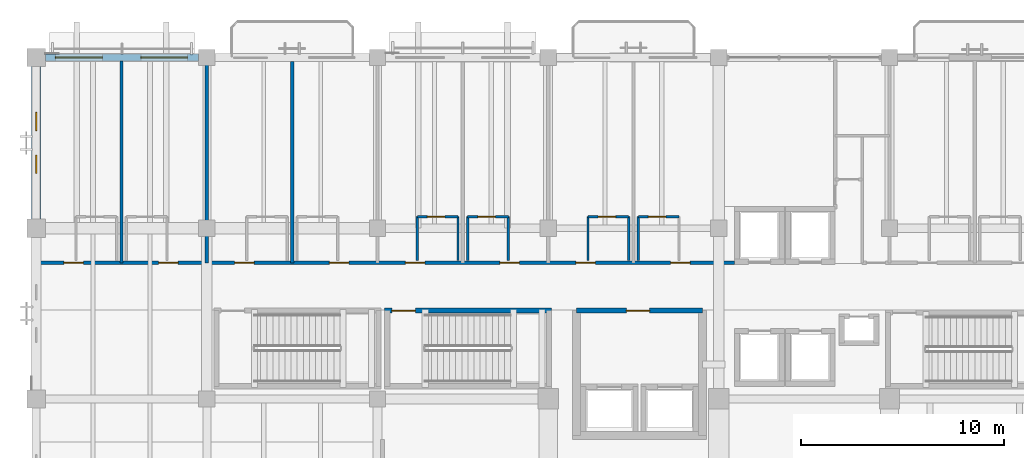
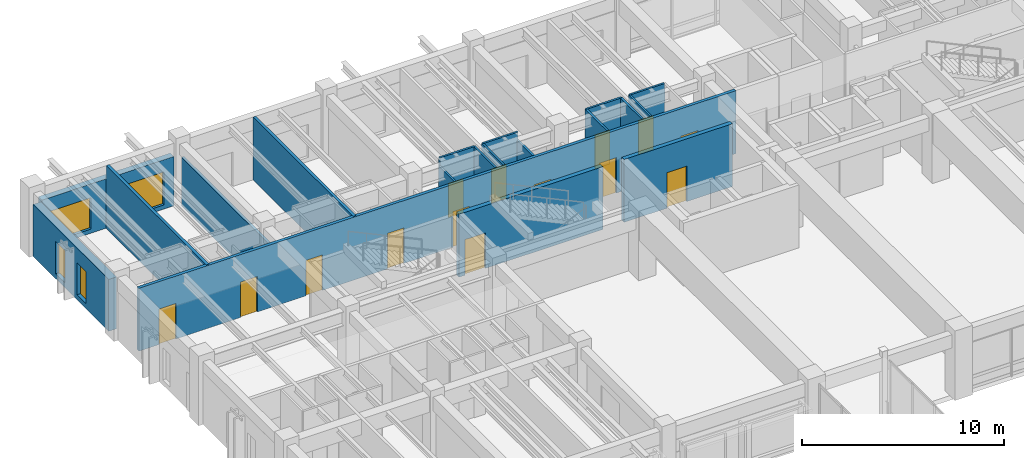
# One storey, part 87 of 132: 19 walls, 14 doors, 4 windows, 18 openings.
"""IFC4 building model written with IfcOpenShell, lengths in metres."""

from ifc_helpers import new_model, si_unit, direction, frame, frame_2d, origin, place, context, subcontext, project, spatial, rectangle, extrude, material, layer, layer_set, type_object, element, fill, save


model = new_model("IFC4")

# Units and contexts
model_context = context("Model", 3, precision=1e-05, world=origin(), true_north=direction((0.0, 1.0)))
body_context = subcontext(model_context, "Body", "Model", "MODEL_VIEW")
ifc_project = project(units=[si_unit("LENGTHUNIT", "METRE"), si_unit("AREAUNIT", "SQUARE_METRE"), si_unit("VOLUMEUNIT", "CUBIC_METRE"), si_unit("PLANEANGLEUNIT", "RADIAN"), si_unit("MASSUNIT", "GRAM", prefix="KILO")], contexts=[model_context])

# Site, building, storey
site_placement = place(None, origin())
site = spatial("IfcSite", under=ifc_project, at=site_placement, CompositionType="ELEMENT")
building_placement = place(site_placement, origin())
building = spatial("IfcBuilding", under=site, at=building_placement, Name="Cumbredor Promenade Congress Hotel", CompositionType="ELEMENT")
storey_placement = place(building_placement, frame((0.0, 0.0, 7.56005859375)))
storey = spatial("IfcBuildingStorey", under=building, at=storey_placement, Name="L02", CompositionType="ELEMENT", Elevation=7.56005859375)

# Wall, opening, door
ifc_material_1 = material(Name="Moisture-resistant gypsum board on steel studs", Category="steel")
ifc_layer_1 = layer(ifc_material_1, 0.114990234375, Name="Moisture-resistant gypsum board on steel studs", Category="steel")
ifc_layer_set_1 = layer_set([ifc_layer_1], Name="Moisture-resistant gypsum board on steel studs")
wall_type_1 = type_object("IfcWallType", Name="WL-BATH-115", PredefinedType="PARTITIONING", material=ifc_layer_set_1)
wall_1_placement = place(storey_placement, frame((18.760009765625, 109.77001953125, 0.0), z_axis=(0.0, 0.0, 1.0), x_axis=(1.0, 0.0, 0.0)))
wall_1 = element("IfcWall", 1, at=wall_1_placement, inside=storey, type_object=wall_type_1, Name="L02 Interior Partition W-L02-BH-0205", PredefinedType="PARTITIONING", context=body_context, shape_type="SweptSolid", body=[
    extrude(rectangle(XDim=2.0, YDim=0.114990234375, at=frame_2d((1.0, 0.0))), origin(), (0.0, 0.0, 1.0), 3.800048828125),
])
opening_1_placement = place(wall_1_placement, frame((0.5, 0.0, 0.0)))
opening_1 = element("IfcOpeningElement", 2, at=opening_1_placement, cuts=wall_1, Name="Opening ID-01", PredefinedType="OPENING", context=body_context, shape_type="SweptSolid", body=[
    extrude(rectangle(XDim=0.860107421875, YDim=2.050048828125, at=frame_2d((0.43017578125, 1.02490234375))), frame((0.0, 0.0673828125, 0.0), z_axis=(0.0, -1.0, 0.0), x_axis=(1.0, 0.0, 0.0)), (0.0, 0.0, 1.0), 0.135009765625),
])
ifc_material_2 = material(Name="Kiln-dried tropical hardwood", Category="wood")
door_type_1 = type_object("IfcDoorType", Name="DR-BATH-860", OperationType="NOTDEFINED", PredefinedType="DOOR", material=ifc_material_2)
door_1_placement = place(opening_1_placement, origin())
door_1 = element("IfcDoor", 3, at=door_1_placement, inside=storey, type_object=door_type_1, Name="L02 Interior Door W-L02-BH-0205-01", OperationType="SINGLE_SWING_RIGHT", OverallHeight=2.050048828125, OverallWidth=0.860107421875, PredefinedType="DOOR", context=body_context, shape_type="SweptSolid", body=[
    extrude(rectangle(XDim=0.860107421875, YDim=2.050048828125, at=frame_2d((0.43017578125, 1.02490234375))), frame((0.0, 0.02490234375, 0.0), z_axis=(0.0, -1.0, 0.0), x_axis=(1.0, 0.0, 0.0)), (0.0, 0.0, 1.0), 0.050048828125),
])
fill(opening_1, door_1)

# Walls
wall_2_placement = place(storey_placement, frame((18.760009765625, 107.6201171875, 0.0), z_axis=(0.0, 0.0, 1.0), x_axis=(0.0, 1.0, 0.0)))
element("IfcWall", 4, at=wall_2_placement, inside=storey, type_object=wall_type_1, Name="L02 Interior Partition W-L02-BV1-0205", PredefinedType="PARTITIONING", context=body_context, shape_type="SweptSolid", body=[
    extrude(rectangle(XDim=2.14990234375, YDim=0.114990234375, at=frame_2d((1.074951171875, 0.0))), origin(), (0.0, 0.0, 1.0), 3.322021484375),
])
wall_3_placement = place(storey_placement, frame((20.760009765625, 107.6201171875, 0.0), z_axis=(0.0, 0.0, 1.0), x_axis=(0.0, 1.0, 0.0)))
element("IfcWall", 5, at=wall_3_placement, inside=storey, type_object=wall_type_1, Name="L02 Interior Partition W-L02-BV2-0205", PredefinedType="PARTITIONING", context=body_context, shape_type="SweptSolid", body=[
    extrude(rectangle(XDim=2.14990234375, YDim=0.114990234375, at=frame_2d((1.074951171875, 0.0))), origin(), (0.0, 0.0, 1.0), 3.800048828125),
])

# Wall, opening, door
wall_4_placement = place(storey_placement, frame((21.239990234375, 109.77001953125, 0.0), z_axis=(0.0, 0.0, 1.0), x_axis=(1.0, 0.0, 0.0)))
wall_4 = element("IfcWall", 6, at=wall_4_placement, inside=storey, type_object=wall_type_1, Name="L02 Interior Partition W-L02-BH-0206", PredefinedType="PARTITIONING", context=body_context, shape_type="SweptSolid", body=[
    extrude(rectangle(XDim=2.0, YDim=0.114990234375, at=frame_2d((1.0, 0.0))), origin(), (0.0, 0.0, 1.0), 3.800048828125),
])
opening_2_placement = place(wall_4_placement, frame((0.5, 0.0, 0.0)))
opening_2 = element("IfcOpeningElement", 7, at=opening_2_placement, cuts=wall_4, Name="Opening ID-01", PredefinedType="OPENING", context=body_context, shape_type="SweptSolid", body=[
    extrude(rectangle(XDim=0.860107421875, YDim=2.050048828125, at=frame_2d((0.43017578125, 1.02490234375))), frame((0.0, 0.0673828125, 0.0), z_axis=(0.0, -1.0, 0.0), x_axis=(1.0, 0.0, 0.0)), (0.0, 0.0, 1.0), 0.135009765625),
])
door_2_placement = place(opening_2_placement, origin())
door_2 = element("IfcDoor", 8, at=door_2_placement, inside=storey, type_object=door_type_1, Name="L02 Interior Door W-L02-BH-0206-01", OperationType="SINGLE_SWING_LEFT", OverallHeight=2.050048828125, OverallWidth=0.860107421875, PredefinedType="DOOR", context=body_context, shape_type="SweptSolid", body=[
    extrude(rectangle(XDim=0.860107421875, YDim=2.050048828125, at=frame_2d((0.43017578125, 1.02490234375))), frame((0.0, 0.02490234375, 0.0), z_axis=(0.0, -1.0, 0.0), x_axis=(1.0, 0.0, 0.0)), (0.0, 0.0, 1.0), 0.050048828125),
])
fill(opening_2, door_2)

# Walls
wall_5_placement = place(storey_placement, frame((21.239990234375, 107.6201171875, 0.0), z_axis=(0.0, 0.0, 1.0), x_axis=(0.0, 1.0, 0.0)))
element("IfcWall", 9, at=wall_5_placement, inside=storey, type_object=wall_type_1, Name="L02 Interior Partition W-L02-BV1-0206", PredefinedType="PARTITIONING", context=body_context, shape_type="SweptSolid", body=[
    extrude(rectangle(XDim=2.14990234375, YDim=0.114990234375, at=frame_2d((1.074951171875, 0.0))), origin(), (0.0, 0.0, 1.0), 3.800048828125),
])
wall_6_placement = place(storey_placement, frame((23.239990234375, 107.6201171875, 0.0), z_axis=(0.0, 0.0, 1.0), x_axis=(0.0, 1.0, 0.0)))
element("IfcWall", 10, at=wall_6_placement, inside=storey, type_object=wall_type_1, Name="L02 Interior Partition W-L02-BV2-0206", PredefinedType="PARTITIONING", context=body_context, shape_type="SweptSolid", body=[
    extrude(rectangle(XDim=2.14990234375, YDim=0.114990234375, at=frame_2d((1.074951171875, 0.0))), origin(), (0.0, 0.0, 1.0), 3.322021484375),
])

# Wall, opening, door
wall_7_placement = place(storey_placement, frame((27.159912109375, 109.77001953125, 0.0), z_axis=(0.0, 0.0, 1.0), x_axis=(1.0, 0.0, 0.0)))
wall_7 = element("IfcWall", 11, at=wall_7_placement, inside=storey, type_object=wall_type_1, Name="L02 Interior Partition W-L02-BH-0207", PredefinedType="PARTITIONING", context=body_context, shape_type="SweptSolid", body=[
    extrude(rectangle(XDim=2.0, YDim=0.114990234375, at=frame_2d((1.0, 0.0))), origin(), (0.0, 0.0, 1.0), 3.800048828125),
])
opening_3_placement = place(wall_7_placement, frame((0.5, 0.0, 0.0)))
opening_3 = element("IfcOpeningElement", 12, at=opening_3_placement, cuts=wall_7, Name="Opening ID-01", PredefinedType="OPENING", context=body_context, shape_type="SweptSolid", body=[
    extrude(rectangle(XDim=0.860107421875, YDim=2.050048828125, at=frame_2d((0.43017578125, 1.02490234375))), frame((0.0, 0.0673828125, 0.0), z_axis=(0.0, -1.0, 0.0), x_axis=(1.0, 0.0, 0.0)), (0.0, 0.0, 1.0), 0.135009765625),
])
door_3_placement = place(opening_3_placement, origin())
door_3 = element("IfcDoor", 13, at=door_3_placement, inside=storey, type_object=door_type_1, Name="L02 Interior Door W-L02-BH-0207-01", OperationType="SINGLE_SWING_RIGHT", OverallHeight=2.050048828125, OverallWidth=0.860107421875, PredefinedType="DOOR", context=body_context, shape_type="SweptSolid", body=[
    extrude(rectangle(XDim=0.860107421875, YDim=2.050048828125, at=frame_2d((0.43017578125, 1.02490234375))), frame((0.0, 0.02490234375, 0.0), z_axis=(0.0, -1.0, 0.0), x_axis=(1.0, 0.0, 0.0)), (0.0, 0.0, 1.0), 0.050048828125),
])
fill(opening_3, door_3)

# Walls
for number, where, z_axis, x_axis, name in (
    (14, (27.159912109375, 107.6201171875, 0.0), (0.0, 0.0, 1.0), (0.0, 1.0, 0.0), "L02 Interior Partition W-L02-BV1-0207"),
    (15, (29.159912109375, 107.6201171875, 0.0), (0.0, 0.0, 1.0), (0.0, 1.0, 0.0), "L02 Interior Partition W-L02-BV2-0207"),
):
    element("IfcWall", number, at=place(storey_placement, frame(where, z_axis=z_axis, x_axis=x_axis)), inside=storey, type_object=wall_type_1, Name=name, PredefinedType="PARTITIONING", context=body_context, shape_type="SweptSolid", body=[
        extrude(rectangle(XDim=2.14990234375, YDim=0.114990234375, at=frame_2d((1.074951171875, 0.0))), origin(), (0.0, 0.0, 1.0), 3.800048828125),
    ])

# Wall, opening, door
wall_8_placement = place(storey_placement, frame((29.639892578125, 109.77001953125, 0.0), z_axis=(0.0, 0.0, 1.0), x_axis=(1.0, 0.0, 0.0)))
wall_8 = element("IfcWall", 16, at=wall_8_placement, inside=storey, type_object=wall_type_1, Name="L02 Interior Partition W-L02-BH-0208", PredefinedType="PARTITIONING", context=body_context, shape_type="SweptSolid", body=[
    extrude(rectangle(XDim=2.0, YDim=0.114990234375, at=frame_2d((1.0, 0.0))), origin(), (0.0, 0.0, 1.0), 3.800048828125),
])
opening_4_placement = place(wall_8_placement, frame((0.5, 0.0, 0.0)))
opening_4 = element("IfcOpeningElement", 17, at=opening_4_placement, cuts=wall_8, Name="Opening ID-01", PredefinedType="OPENING", context=body_context, shape_type="SweptSolid", body=[
    extrude(rectangle(XDim=0.860107421875, YDim=2.050048828125, at=frame_2d((0.43017578125, 1.02490234375))), frame((0.0, 0.0673828125, 0.0), z_axis=(0.0, -1.0, 0.0), x_axis=(1.0, 0.0, 0.0)), (0.0, 0.0, 1.0), 0.135009765625),
])
door_4_placement = place(opening_4_placement, origin())
door_4 = element("IfcDoor", 18, at=door_4_placement, inside=storey, type_object=door_type_1, Name="L02 Interior Door W-L02-BH-0208-01", OperationType="SINGLE_SWING_LEFT", OverallHeight=2.050048828125, OverallWidth=0.860107421875, PredefinedType="DOOR", context=body_context, shape_type="SweptSolid", body=[
    extrude(rectangle(XDim=0.860107421875, YDim=2.050048828125, at=frame_2d((0.43017578125, 1.02490234375))), frame((0.0, 0.02490234375, 0.0), z_axis=(0.0, -1.0, 0.0), x_axis=(1.0, 0.0, 0.0)), (0.0, 0.0, 1.0), 0.050048828125),
])
fill(opening_4, door_4)

# Wall
wall_9_placement = place(storey_placement, frame((29.639892578125, 107.6201171875, 0.0), z_axis=(0.0, 0.0, 1.0), x_axis=(0.0, 1.0, 0.0)))
element("IfcWall", 19, at=wall_9_placement, inside=storey, type_object=wall_type_1, Name="L02 Interior Partition W-L02-BV1-0208", PredefinedType="PARTITIONING", context=body_context, shape_type="SweptSolid", body=[
    extrude(rectangle(XDim=2.14990234375, YDim=0.114990234375, at=frame_2d((1.074951171875, 0.0))), origin(), (0.0, 0.0, 1.0), 3.800048828125),
])

# Wall, openings, doors
ifc_material_3 = material(Name="Fire-rated hotel corridor wall")
ifc_layer_2 = layer(ifc_material_3, 0.179931640625, Name="Fire-rated hotel corridor wall")
ifc_layer_set_2 = layer_set([ifc_layer_2], Name="Fire-rated hotel corridor wall")
wall_type_2 = type_object("IfcWallType", Name="WL-CORR-180", PredefinedType="PARTITIONING", material=ifc_layer_set_2)
wall_10_placement = place(storey_placement, frame((0.21240234375, 107.5, 0.0), z_axis=(0.0, 0.0, 1.0), x_axis=(1.0, 0.0, 0.0)))
wall_10 = element("IfcWall", 20, at=wall_10_placement, inside=storey, type_object=wall_type_2, Name="L02 Interior Partition W-L02-CORR-NW", PredefinedType="PARTITIONING", context=body_context, shape_type="SweptSolid", body=[
    extrude(rectangle(XDim=34.15771484375, YDim=0.179931640625, at=frame_2d((17.078857421875, 0.0))), origin(), (0.0, 0.0, 1.0), 3.800048828125),
])
opening_5_placement = place(wall_10_placement, frame((1.157958984375, 0.0, 0.0)))
opening_5 = element("IfcOpeningElement", 21, at=opening_5_placement, cuts=wall_10, Name="Opening FD-01", PredefinedType="OPENING", context=body_context, shape_type="SweptSolid", body=[
    extrude(rectangle(XDim=0.9599609375, YDim=2.14990234375, at=frame_2d((0.47998046875, 1.074951171875))), frame((0.0, 0.10009765625, 0.0), z_axis=(0.0, -1.0, 0.0), x_axis=(1.0, 0.0, 0.0)), (0.0, 0.0, 1.0), 0.199951171875),
])
opening_6_placement = place(wall_10_placement, frame((5.81689453125, 0.0, 0.0)))
opening_6 = element("IfcOpeningElement", 22, at=opening_6_placement, cuts=wall_10, Name="Opening FD-01", PredefinedType="OPENING", context=body_context, shape_type="SweptSolid", body=[
    extrude(rectangle(XDim=0.9599609375, YDim=2.14990234375, at=frame_2d((0.47998046875, 1.074951171875))), frame((0.0, 0.10009765625, 0.0), z_axis=(0.0, -1.0, 0.0), x_axis=(1.0, 0.0, 0.0)), (0.0, 0.0, 1.0), 0.199951171875),
])
opening_7_placement = place(wall_10_placement, frame((9.556884765625, 0.0, 0.0)))
opening_7 = element("IfcOpeningElement", 23, at=opening_7_placement, cuts=wall_10, Name="Opening FD-01", PredefinedType="OPENING", context=body_context, shape_type="SweptSolid", body=[
    extrude(rectangle(XDim=0.9599609375, YDim=2.14990234375, at=frame_2d((0.47998046875, 1.074951171875))), frame((0.0, 0.10009765625, 0.0), z_axis=(0.0, -1.0, 0.0), x_axis=(1.0, 0.0, 0.0)), (0.0, 0.0, 1.0), 0.199951171875),
])
opening_8_placement = place(wall_10_placement, frame((14.217041015625, 0.0, 0.0)))
opening_8 = element("IfcOpeningElement", 24, at=opening_8_placement, cuts=wall_10, Name="Opening FD-01", PredefinedType="OPENING", context=body_context, shape_type="SweptSolid", body=[
    extrude(rectangle(XDim=0.9599609375, YDim=2.14990234375, at=frame_2d((0.47998046875, 1.074951171875))), frame((0.0, 0.10009765625, 0.0), z_axis=(0.0, -1.0, 0.0), x_axis=(1.0, 0.0, 0.0)), (0.0, 0.0, 1.0), 0.199951171875),
])
opening_9_placement = place(wall_10_placement, frame((17.9580078125, 0.0, 0.0)))
opening_9 = element("IfcOpeningElement", 25, at=opening_9_placement, cuts=wall_10, Name="Opening FD-01", PredefinedType="OPENING", context=body_context, shape_type="SweptSolid", body=[
    extrude(rectangle(XDim=0.9599609375, YDim=2.14990234375, at=frame_2d((0.47998046875, 1.074951171875))), frame((0.0, 0.10009765625, 0.0), z_axis=(0.0, -1.0, 0.0), x_axis=(1.0, 0.0, 0.0)), (0.0, 0.0, 1.0), 0.199951171875),
])
opening_10_placement = place(wall_10_placement, frame((22.616943359375, 0.0, 0.0)))
opening_10 = element("IfcOpeningElement", 26, at=opening_10_placement, cuts=wall_10, Name="Opening FD-01", PredefinedType="OPENING", context=body_context, shape_type="SweptSolid", body=[
    extrude(rectangle(XDim=0.9599609375, YDim=2.14990234375, at=frame_2d((0.47998046875, 1.074951171875))), frame((0.0, 0.10009765625, 0.0), z_axis=(0.0, -1.0, 0.0), x_axis=(1.0, 0.0, 0.0)), (0.0, 0.0, 1.0), 0.199951171875),
])
opening_11_placement = place(wall_10_placement, frame((26.35791015625, 0.0, 0.0)))
opening_11 = element("IfcOpeningElement", 27, at=opening_11_placement, cuts=wall_10, Name="Opening FD-01", PredefinedType="OPENING", context=body_context, shape_type="SweptSolid", body=[
    extrude(rectangle(XDim=0.9599609375, YDim=2.14990234375, at=frame_2d((0.47998046875, 1.074951171875))), frame((0.0, 0.10009765625, 0.0), z_axis=(0.0, -1.0, 0.0), x_axis=(1.0, 0.0, 0.0)), (0.0, 0.0, 1.0), 0.199951171875),
])
opening_12_placement = place(wall_10_placement, frame((31.01806640625, 0.0, 0.0)))
opening_12 = element("IfcOpeningElement", 28, at=opening_12_placement, cuts=wall_10, Name="Opening FD-01", PredefinedType="OPENING", context=body_context, shape_type="SweptSolid", body=[
    extrude(rectangle(XDim=0.9599609375, YDim=2.14990234375, at=frame_2d((0.47998046875, 1.074951171875))), frame((0.0, 0.10009765625, 0.0), z_axis=(0.0, -1.0, 0.0), x_axis=(1.0, 0.0, 0.0)), (0.0, 0.0, 1.0), 0.199951171875),
])
ifc_material_4 = material(Name="Solid-core fire-rated tropical hardwood", Category="wood")
door_type_2 = type_object("IfcDoorType", Name="DR-GUEST-FD30-950", OperationType="NOTDEFINED", PredefinedType="DOOR", material=ifc_material_4)
door_5_placement = place(opening_5_placement, origin())
door_5 = element("IfcDoor", 29, at=door_5_placement, inside=storey, type_object=door_type_2, Name="L02 Interior Door W-L02-CORR-NW-01", OperationType="SINGLE_SWING_LEFT", OverallHeight=2.14990234375, OverallWidth=0.9599609375, PredefinedType="DOOR", context=body_context, shape_type="SweptSolid", body=[
    extrude(rectangle(XDim=0.9599609375, YDim=2.14990234375, at=frame_2d((0.47998046875, 1.074951171875))), frame((0.0, 0.02490234375, 0.0), z_axis=(0.0, -1.0, 0.0), x_axis=(1.0, 0.0, 0.0)), (0.0, 0.0, 1.0), 0.050048828125),
])
fill(opening_5, door_5)
door_6_placement = place(opening_6_placement, origin())
door_6 = element("IfcDoor", 30, at=door_6_placement, inside=storey, type_object=door_type_2, Name="L02 Interior Door W-L02-CORR-NW-02", OperationType="SINGLE_SWING_RIGHT", OverallHeight=2.14990234375, OverallWidth=0.9599609375, PredefinedType="DOOR", context=body_context, shape_type="SweptSolid", body=[
    extrude(rectangle(XDim=0.9599609375, YDim=2.14990234375, at=frame_2d((0.47998046875, 1.074951171875))), frame((0.0, 0.02490234375, 0.0), z_axis=(0.0, -1.0, 0.0), x_axis=(1.0, 0.0, 0.0)), (0.0, 0.0, 1.0), 0.050048828125),
])
fill(opening_6, door_6)
door_7_placement = place(opening_7_placement, origin())
door_7 = element("IfcDoor", 31, at=door_7_placement, inside=storey, type_object=door_type_2, Name="L02 Interior Door W-L02-CORR-NW-03", OperationType="SINGLE_SWING_LEFT", OverallHeight=2.14990234375, OverallWidth=0.9599609375, PredefinedType="DOOR", context=body_context, shape_type="SweptSolid", body=[
    extrude(rectangle(XDim=0.9599609375, YDim=2.14990234375, at=frame_2d((0.47998046875, 1.074951171875))), frame((0.0, 0.02490234375, 0.0), z_axis=(0.0, -1.0, 0.0), x_axis=(1.0, 0.0, 0.0)), (0.0, 0.0, 1.0), 0.050048828125),
])
fill(opening_7, door_7)
door_8_placement = place(opening_8_placement, origin())
door_8 = element("IfcDoor", 32, at=door_8_placement, inside=storey, type_object=door_type_2, Name="L02 Interior Door W-L02-CORR-NW-04", OperationType="SINGLE_SWING_RIGHT", OverallHeight=2.14990234375, OverallWidth=0.9599609375, PredefinedType="DOOR", context=body_context, shape_type="SweptSolid", body=[
    extrude(rectangle(XDim=0.9599609375, YDim=2.14990234375, at=frame_2d((0.47998046875, 1.074951171875))), frame((0.0, 0.02490234375, 0.0), z_axis=(0.0, -1.0, 0.0), x_axis=(1.0, 0.0, 0.0)), (0.0, 0.0, 1.0), 0.050048828125),
])
fill(opening_8, door_8)
door_9_placement = place(opening_9_placement, origin())
door_9 = element("IfcDoor", 33, at=door_9_placement, inside=storey, type_object=door_type_2, Name="L02 Interior Door W-L02-CORR-NW-05", OperationType="SINGLE_SWING_LEFT", OverallHeight=2.14990234375, OverallWidth=0.9599609375, PredefinedType="DOOR", context=body_context, shape_type="SweptSolid", body=[
    extrude(rectangle(XDim=0.9599609375, YDim=2.14990234375, at=frame_2d((0.47998046875, 1.074951171875))), frame((0.0, 0.02490234375, 0.0), z_axis=(0.0, -1.0, 0.0), x_axis=(1.0, 0.0, 0.0)), (0.0, 0.0, 1.0), 0.050048828125),
])
fill(opening_9, door_9)
door_10_placement = place(opening_10_placement, origin())
door_10 = element("IfcDoor", 34, at=door_10_placement, inside=storey, type_object=door_type_2, Name="L02 Interior Door W-L02-CORR-NW-06", OperationType="SINGLE_SWING_RIGHT", OverallHeight=2.14990234375, OverallWidth=0.9599609375, PredefinedType="DOOR", context=body_context, shape_type="SweptSolid", body=[
    extrude(rectangle(XDim=0.9599609375, YDim=2.14990234375, at=frame_2d((0.47998046875, 1.074951171875))), frame((0.0, 0.02490234375, 0.0), z_axis=(0.0, -1.0, 0.0), x_axis=(1.0, 0.0, 0.0)), (0.0, 0.0, 1.0), 0.050048828125),
])
fill(opening_10, door_10)
door_11_placement = place(opening_11_placement, origin())
door_11 = element("IfcDoor", 35, at=door_11_placement, inside=storey, type_object=door_type_2, Name="L02 Interior Door W-L02-CORR-NW-07", OperationType="SINGLE_SWING_LEFT", OverallHeight=2.14990234375, OverallWidth=0.9599609375, PredefinedType="DOOR", context=body_context, shape_type="SweptSolid", body=[
    extrude(rectangle(XDim=0.9599609375, YDim=2.14990234375, at=frame_2d((0.47998046875, 1.074951171875))), frame((0.0, 0.02490234375, 0.0), z_axis=(0.0, -1.0, 0.0), x_axis=(1.0, 0.0, 0.0)), (0.0, 0.0, 1.0), 0.050048828125),
])
fill(opening_11, door_11)
door_12_placement = place(opening_12_placement, origin())
door_12 = element("IfcDoor", 36, at=door_12_placement, inside=storey, type_object=door_type_2, Name="L02 Interior Door W-L02-CORR-NW-08", OperationType="SINGLE_SWING_RIGHT", OverallHeight=2.14990234375, OverallWidth=0.9599609375, PredefinedType="DOOR", context=body_context, shape_type="SweptSolid", body=[
    extrude(rectangle(XDim=0.9599609375, YDim=2.14990234375, at=frame_2d((0.47998046875, 1.074951171875))), frame((0.0, 0.02490234375, 0.0), z_axis=(0.0, -1.0, 0.0), x_axis=(1.0, 0.0, 0.0)), (0.0, 0.0, 1.0), 0.050048828125),
])
fill(opening_12, door_12)

# Wall, openings, windows
ifc_material_5 = material(Name="Concrete C40/50", Category="concrete")
ifc_layer_3 = layer(ifc_material_5, 0.35009765625, Name="Concrete C40/50", Category="concrete")
ifc_layer_set_3 = layer_set([ifc_layer_3], Name="Concrete C40/50")
wall_type_3 = type_object("IfcWallType", Name="WL-EXT-350", PredefinedType="SOLIDWALL", material=ifc_layer_set_3)
wall_11_placement = place(storey_placement, frame((0.450927734375, 117.60009765625, 0.0), z_axis=(0.0, 0.0, 1.0), x_axis=(1.0, 0.0, 0.0)))
wall_11 = element("IfcWall", 37, at=wall_11_placement, inside=storey, type_object=wall_type_3, Name="L02 Stepped Congress Hotel Wing North Envelope Wall 1", PredefinedType="SOLIDWALL", context=body_context, shape_type="SweptSolid", body=[
    extrude(rectangle(XDim=7.548095703125, YDim=0.35009765625, at=frame_2d((3.77392578125, 0.0))), origin(), (0.0, 0.0, 1.0), 2.98486328125),
])
opening_13_placement = place(wall_11_placement, frame((0.489013671875, 0.0, 0.25)))
opening_13 = element("IfcOpeningElement", 38, at=opening_13_placement, cuts=wall_11, Name="Opening WN-36", PredefinedType="OPENING", context=body_context, shape_type="SweptSolid", body=[
    extrude(rectangle(XDim=2.320068359375, YDim=1.89990234375, at=frame_2d((1.16015625, 0.949951171875))), frame((0.0, 0.18505859375, 0.0), z_axis=(0.0, -1.0, 0.0), x_axis=(1.0, 0.0, 0.0)), (0.0, 0.0, 1.0), 0.3701171875),
])
opening_14_placement = place(wall_11_placement, frame((4.708984375, 0.0, 0.25)))
opening_14 = element("IfcOpeningElement", 39, at=opening_14_placement, cuts=wall_11, Name="Opening WN-40", PredefinedType="OPENING", context=body_context, shape_type="SweptSolid", body=[
    extrude(rectangle(XDim=2.280029296875, YDim=2.0, at=frame_2d((1.14013671875, 1.0))), frame((0.0, 0.18505859375, 0.0), z_axis=(0.0, -1.0, 0.0), x_axis=(1.0, 0.0, 0.0)), (0.0, 0.0, 1.0), 0.3701171875),
])
ifc_material_6 = material(Name="Thermally broken anodized aluminium and low-E glass", Category="aluminium")
window_type_1 = type_object("IfcWindowType", Name="Hospitality Floor-to-Ceiling Window WN-36 2320x1900", PartitioningType="DOUBLE_PANEL_VERTICAL", PredefinedType="WINDOW", material=ifc_material_6)
window_1_placement = place(opening_13_placement, origin())
window_1 = element("IfcWindow", 40, at=window_1_placement, inside=storey, type_object=window_type_1, Name="L02 Wide Hospitality Window 0309", OverallHeight=1.89990234375, OverallWidth=2.320068359375, PartitioningType="DOUBLE_PANEL_VERTICAL", PredefinedType="WINDOW", context=body_context, shape_type="SweptSolid", body=[
    extrude(rectangle(XDim=2.320068359375, YDim=1.89990234375, at=frame_2d((1.16015625, 0.949951171875))), frame((0.0, 0.030029296875, 0.0), z_axis=(0.0, -1.0, 0.0), x_axis=(1.0, 0.0, 0.0)), (0.0, 0.0, 1.0), 0.06005859375),
])
fill(opening_13, window_1)
window_type_2 = type_object("IfcWindowType", Name="Hospitality Floor-to-Ceiling Window WN-40 2280x2000", PartitioningType="DOUBLE_PANEL_VERTICAL", PredefinedType="WINDOW", material=ifc_material_6)
window_2_placement = place(opening_14_placement, origin())
window_2 = element("IfcWindow", 41, at=window_2_placement, inside=storey, type_object=window_type_2, Name="L02 Wide Hospitality Window 0310", OverallHeight=2.0, OverallWidth=2.280029296875, PartitioningType="DOUBLE_PANEL_VERTICAL", PredefinedType="WINDOW", context=body_context, shape_type="SweptSolid", body=[
    extrude(rectangle(XDim=2.280029296875, YDim=2.0, at=frame_2d((1.14013671875, 1.0))), frame((0.0, 0.030029296875, 0.0), z_axis=(0.0, -1.0, 0.0), x_axis=(1.0, 0.0, 0.0)), (0.0, 0.0, 1.0), 0.06005859375),
])
fill(opening_14, window_2)

ifc_layer_4 = layer(ifc_material_5, 0.449951171875, Name="Concrete C40/50", Category="concrete")
ifc_layer_set_4 = layer_set([ifc_layer_4], Name="Concrete C40/50")
wall_type_4 = type_object("IfcWallType", Name="WL-EXT-450", PredefinedType="SOLIDWALL", material=ifc_layer_set_4)
wall_12_placement = place(storey_placement, frame((0.0, 109.65087890625, 0.0), z_axis=(0.0, 0.0, 1.0), x_axis=(0.0, 1.0, 0.0)))
wall_12 = element("IfcWall", 42, at=wall_12_placement, inside=storey, type_object=wall_type_4, Name="L02 Stepped Congress Hotel Wing West Envelope Wall 4", PredefinedType="SOLIDWALL", context=body_context, shape_type="SweptSolid", body=[
    extrude(rectangle(XDim=7.498046875, YDim=0.449951171875, at=frame_2d((3.7490234375, 0.0))), origin(), (0.0, 0.0, 1.0), 3.135009765625),
])
opening_15_placement = place(wall_12_placement, frame((2.2490234375, 0.0, 0.300048828125)))
opening_15 = element("IfcOpeningElement", 43, at=opening_15_placement, cuts=wall_12, Name="Opening WN-52", PredefinedType="OPENING", context=body_context, shape_type="SweptSolid", body=[
    extrude(rectangle(XDim=0.89990234375, YDim=1.949951171875, at=frame_2d((0.449951171875, 0.97509765625))), frame((0.0, 0.23486328125, 0.0), z_axis=(0.0, -1.0, 0.0), x_axis=(1.0, 0.0, 0.0)), (0.0, 0.0, 1.0), 0.469970703125),
])
opening_16_placement = place(wall_12_placement, frame((4.34912109375, 0.0, 0.300048828125)))
opening_16 = element("IfcOpeningElement", 44, at=opening_16_placement, cuts=wall_12, Name="Opening WN-52", PredefinedType="OPENING", context=body_context, shape_type="SweptSolid", body=[
    extrude(rectangle(XDim=0.89990234375, YDim=1.949951171875, at=frame_2d((0.449951171875, 0.97509765625))), frame((0.0, 0.23486328125, 0.0), z_axis=(0.0, -1.0, 0.0), x_axis=(1.0, 0.0, 0.0)), (0.0, 0.0, 1.0), 0.469970703125),
])
window_type_3 = type_object("IfcWindowType", Name="Vertical Slot Window WN-52 900x1950", PartitioningType="SINGLE_PANEL", PredefinedType="WINDOW", material=ifc_material_6)
window_3_placement = place(opening_15_placement, origin())
window_3 = element("IfcWindow", 45, at=window_3_placement, inside=storey, type_object=window_type_3, Name="L02 Vertical Slot Window 0328", OverallHeight=1.949951171875, OverallWidth=0.89990234375, PartitioningType="SINGLE_PANEL", PredefinedType="WINDOW", context=body_context, shape_type="SweptSolid", body=[
    extrude(rectangle(XDim=0.89990234375, YDim=1.949951171875, at=frame_2d((0.449951171875, 0.97509765625))), frame((0.0, 0.030029296875, 0.0), z_axis=(0.0, -1.0, 0.0), x_axis=(1.0, 0.0, 0.0)), (0.0, 0.0, 1.0), 0.06005859375),
])
fill(opening_15, window_3)
window_4_placement = place(opening_16_placement, origin())
window_4 = element("IfcWindow", 46, at=window_4_placement, inside=storey, type_object=window_type_3, Name="L02 Vertical Slot Window 0329", OverallHeight=1.949951171875, OverallWidth=0.89990234375, PartitioningType="SINGLE_PANEL", PredefinedType="WINDOW", context=body_context, shape_type="SweptSolid", body=[
    extrude(rectangle(XDim=0.89990234375, YDim=1.949951171875, at=frame_2d((0.449951171875, 0.97509765625))), frame((0.0, 0.030029296875, 0.0), z_axis=(0.0, -1.0, 0.0), x_axis=(1.0, 0.0, 0.0)), (0.0, 0.0, 1.0), 0.06005859375),
])
fill(opening_16, window_4)

# Wall, opening, door
ifc_layer_5 = layer(ifc_material_5, 0.239990234375, Name="Concrete C40/50", Category="concrete")
ifc_layer_set_5 = layer_set([ifc_layer_5], Name="Concrete C40/50")
wall_type_5 = type_object("IfcWallType", Name="WL-FFL-240", PredefinedType="SOLIDWALL", material=ifc_layer_set_5)
wall_13_placement = place(storey_placement, frame((26.60009765625, 105.14990234375, 0.0), z_axis=(0.0, 0.0, 1.0), x_axis=(1.0, 0.0, 0.0)))
wall_13 = element("IfcWall", 47, at=wall_13_placement, inside=storey, type_object=wall_type_5, Name="L02 Interior Partition W-FFL-L02-N", PredefinedType="SOLIDWALL", context=body_context, shape_type="SweptSolid", body=[
    extrude(rectangle(XDim=6.199951171875, YDim=0.239990234375, at=frame_2d((3.10009765625, 0.0))), origin(), (0.0, 0.0, 1.0), 3.800048828125),
])
opening_17_placement = place(wall_13_placement, frame((2.449951171875, 0.0, 0.0)))
opening_17 = element("IfcOpeningElement", 48, at=opening_17_placement, cuts=wall_13, Name="Opening FD-05", PredefinedType="OPENING", context=body_context, shape_type="SweptSolid", body=[
    extrude(rectangle(XDim=1.14990234375, YDim=2.14990234375, at=frame_2d((0.574951171875, 1.074951171875))), frame((0.0, 0.1298828125, 0.0), z_axis=(0.0, -1.0, 0.0), x_axis=(1.0, 0.0, 0.0)), (0.0, 0.0, 1.0), 0.260009765625),
])
ifc_material_7 = material(Name="Painted galvanized steel fire door", Category="steel")
door_type_3 = type_object("IfcDoorType", Name="DR-SGL-FD60-1150", OperationType="NOTDEFINED", PredefinedType="DOOR", material=ifc_material_7)
door_13_placement = place(opening_17_placement, origin())
door_13 = element("IfcDoor", 49, at=door_13_placement, inside=storey, type_object=door_type_3, Name="L02 Interior Door W-FFL-L02-N-01", OperationType="SINGLE_SWING_LEFT", OverallHeight=2.14990234375, OverallWidth=1.14990234375, PredefinedType="DOOR", context=body_context, shape_type="SweptSolid", body=[
    extrude(rectangle(XDim=1.14990234375, YDim=2.14990234375, at=frame_2d((0.574951171875, 1.074951171875))), frame((0.0, 0.02490234375, 0.0), z_axis=(0.0, -1.0, 0.0), x_axis=(1.0, 0.0, 0.0)), (0.0, 0.0, 1.0), 0.050048828125),
])
fill(opening_17, door_13)

ifc_layer_6 = layer(ifc_material_5, 0.2548828125, Name="Concrete C40/50", Category="concrete")
ifc_layer_set_6 = layer_set([ifc_layer_6], Name="Concrete C40/50")
wall_type_6 = type_object("IfcWallType", Name="WL-SHAFT-250", PredefinedType="SOLIDWALL", material=ifc_layer_set_6)
wall_14_placement = place(storey_placement, frame((17.152587890625, 105.14990234375, 0.0), z_axis=(0.0, 0.0, 1.0), x_axis=(1.0, 0.0, 0.0)))
wall_14 = element("IfcWall", 50, at=wall_14_placement, inside=storey, type_object=wall_type_6, Name="STAIR-ST-02-L02 Shaft Wall North", PredefinedType="SOLIDWALL", context=body_context, shape_type="SweptSolid", body=[
    extrude(rectangle(XDim=8.224853515625, YDim=0.2548828125, at=frame_2d((4.1123046875, 0.0))), origin(), (0.0, 0.0, 1.0), 3.800048828125),
])
opening_18_placement = place(wall_14_placement, frame((0.35009765625, 0.0, 0.0)))
opening_18 = element("IfcOpeningElement", 51, at=opening_18_placement, cuts=wall_14, Name="Opening SD-01", PredefinedType="OPENING", context=body_context, shape_type="SweptSolid", body=[
    extrude(rectangle(XDim=1.159912109375, YDim=2.14990234375, at=frame_2d((0.580078125, 1.074951171875))), frame((0.0, 0.137451171875, 0.0), z_axis=(0.0, -1.0, 0.0), x_axis=(1.0, 0.0, 0.0)), (0.0, 0.0, 1.0), 0.27490234375),
])
door_type_4 = type_object("IfcDoorType", Name="DR-STAIR-FD90-1150", OperationType="NOTDEFINED", PredefinedType="DOOR", material=ifc_material_7)
door_14_placement = place(opening_18_placement, origin())
door_14 = element("IfcDoor", 52, at=door_14_placement, inside=storey, type_object=door_type_4, Name="L02 Protected Exit Stair ST-02 Door", OperationType="SINGLE_SWING_LEFT", OverallHeight=2.14990234375, OverallWidth=1.159912109375, PredefinedType="DOOR", context=body_context, shape_type="SweptSolid", body=[
    extrude(rectangle(XDim=1.159912109375, YDim=2.14990234375, at=frame_2d((0.580078125, 1.074951171875))), frame((0.0, 0.02490234375, 0.0), z_axis=(0.0, -1.0, 0.0), x_axis=(1.0, 0.0, 0.0)), (0.0, 0.0, 1.0), 0.050048828125),
])
fill(opening_18, door_14)

# Walls
ifc_material_8 = material(Name="Fire-rated acoustic double-stud partition")
ifc_layer_7 = layer(ifc_material_8, 0.1650390625, Name="Fire-rated acoustic double-stud partition")
ifc_layer_set_7 = layer_set([ifc_layer_7], Name="Fire-rated acoustic double-stud partition")
wall_type_7 = type_object("IfcWallType", Name="WL-UNIT-165", PredefinedType="PARTITIONING", material=ifc_layer_set_7)
wall_15_placement = place(storey_placement, frame((4.199951171875, 107.5, 0.0), z_axis=(0.0, 0.0, 1.0), x_axis=(0.0, 1.0, 0.0)))
element("IfcWall", 53, at=wall_15_placement, inside=storey, type_object=wall_type_7, Name="L02 Interior Partition W-L02-N-DIV-0-M", PredefinedType="PARTITIONING", context=body_context, shape_type="SweptSolid", body=[
    extrude(rectangle(XDim=9.925048828125, YDim=0.1650390625, at=frame_2d((4.96240234375, 0.0))), origin(), (0.0, 0.0, 1.0), 3.800048828125),
])
wall_16_placement = place(storey_placement, frame((12.60009765625, 107.5, 0.0), z_axis=(0.0, 0.0, 1.0), x_axis=(0.0, 1.0, 0.0)))
element("IfcWall", 54, at=wall_16_placement, inside=storey, type_object=wall_type_7, Name="L02 Interior Partition W-L02-N-DIV-1-M", PredefinedType="PARTITIONING", context=body_context, shape_type="SweptSolid", body=[
    extrude(rectangle(XDim=9.909912109375, YDim=0.1650390625, at=frame_2d((4.955078125, 0.0))), origin(), (0.0, 0.0, 1.0), 3.800048828125),
])
wall_17_placement = place(storey_placement, frame((8.39990234375, 107.5, 0.0), z_axis=(0.0, 0.0, 1.0), x_axis=(0.0, 1.0, 0.0)))
element("IfcWall", 55, at=wall_17_placement, inside=storey, type_object=wall_type_7, Name="L02 Interior Partition W-L02-N-DIV-1-G", PredefinedType="PARTITIONING", context=body_context, shape_type="SweptSolid", body=[
    extrude(rectangle(XDim=9.75, YDim=0.1650390625, at=frame_2d((4.875, 0.0))), origin(), (0.0, 0.0, 1.0), 2.93505859375),
])

save(model, "model.ifc")
